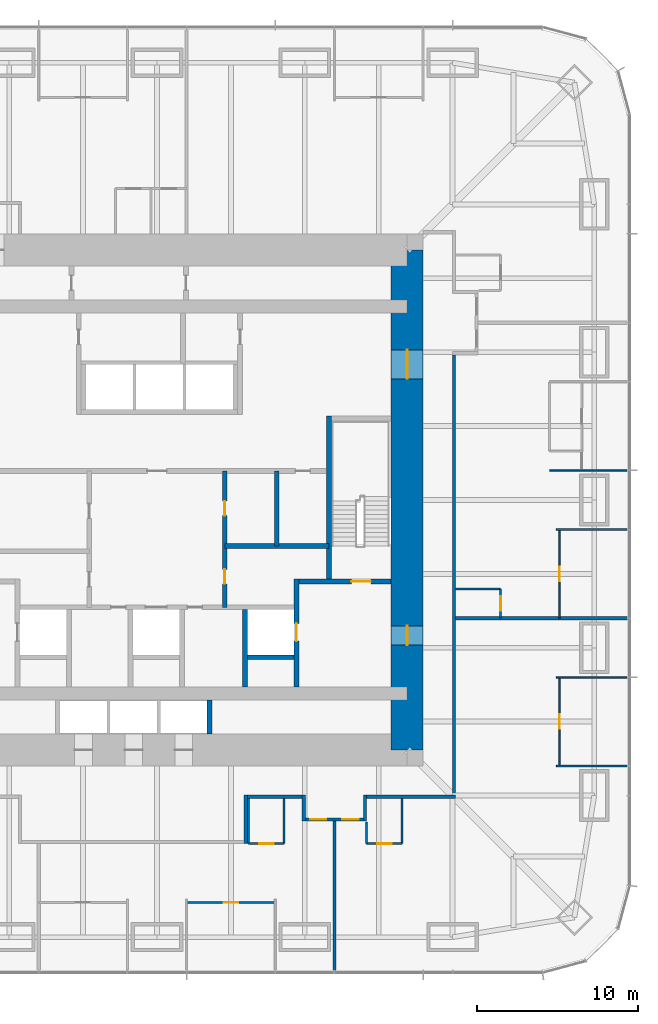
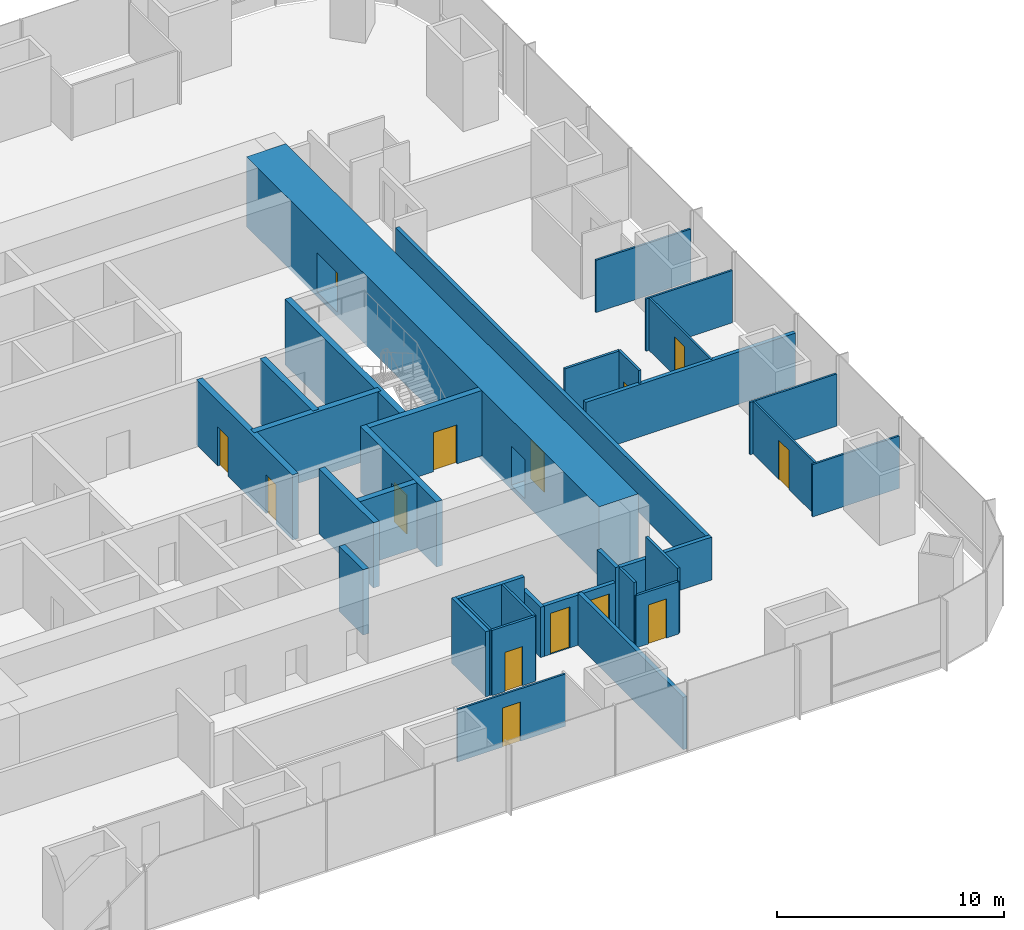
# One storey, part 10 of 13: 34 walls, 14 doors, 14 openings.
"""IFC4 building model written with IfcOpenShell, lengths in metres."""

import ifcopenshell
import ifcopenshell.guid

model = None  # the IFC model being written
_history = None  # IfcOwnerHistory: only IFC2X3 demands one
_inside = {}  # id of a spatial element -> (the spatial element, [elements in it])
_under = {}  # id of a project, library or spatial element -> (it, [spatial elements below it])
_declared = {}  # id of a project -> (the project, [libraries it declares])
_typed = {}  # id of a type object -> (the type object, [elements of that type])
_made_of = {}  # id of a material, layer set ... -> (it, [elements and type objects made of it])


def new_model(schema):
    """Start an empty IFC model of exactly this schema.

    Asked for "IFC4X3", IfcOpenShell would pick the latest addendum, in which some entities
    have other attributes; the version numbers below select the first issue.
    IFC2X3 requires an IfcOwnerHistory on every rooted entity: one is made here for all.
    """
    global model, _history
    if schema == "IFC4X3":
        model = ifcopenshell.file(schema_version=(4, 3, 0, 0))
    else:
        model = ifcopenshell.file(schema=schema)
    _inside.clear()
    _under.clear()
    _declared.clear()
    _typed.clear()
    _made_of.clear()
    _history = None
    if model.schema == "IFC2X3":
        org = make("IfcOrganization", Name="unknown")
        user = make(
            "IfcPersonAndOrganization",
            ThePerson=make("IfcPerson", FamilyName="unknown"),
            TheOrganization=org,
        )
        app = make(
            "IfcApplication",
            ApplicationDeveloper=org,
            Version="unknown",
            ApplicationFullName="unknown",
            ApplicationIdentifier="unknown",
        )
        _history = make(
            "IfcOwnerHistory",
            OwningUser=user,
            OwningApplication=app,
            ChangeAction="ADDED",
            CreationDate=0,
        )
    return model


def make(cls, **values):
    """One entity of the class cls with the attributes given. An attribute that is None is left unset."""
    return model.create_entity(
        cls, **{name: value for name, value in values.items() if value is not None}
    )


def rooted(cls, **values):
    """An entity with a GlobalId (a new one), such as an element, a storey or a relation."""
    return make(cls, GlobalId=ifcopenshell.guid.new(), OwnerHistory=_history, **values)


def si_unit(unit_type, name, prefix=None):
    """IfcSIUnit, for example si_unit("LENGTHUNIT", "METRE", prefix="MILLI")."""
    return make("IfcSIUnit", UnitType=unit_type, Prefix=prefix, Name=name)


def assignment(units):
    """IfcUnitAssignment: the units of a project."""
    return None if units is None else make("IfcUnitAssignment", Units=units)


def point(xyz):
    """IfcCartesianPoint."""
    return None if xyz is None else make("IfcCartesianPoint", Coordinates=xyz)


def direction(xyz):
    """IfcDirection."""
    return None if xyz is None else make("IfcDirection", DirectionRatios=xyz)


def frame(location, z_axis=None, x_axis=None):
    """IfcAxis2Placement3D, a coordinate frame: its origin and axes. An axis left out is left unset."""
    return make(
        "IfcAxis2Placement3D",
        Location=point(location),
        Axis=direction(z_axis),
        RefDirection=direction(x_axis),
    )


def frame_2d(location, x_axis=None):
    """IfcAxis2Placement2D, a coordinate frame in the plane: its origin and x axis."""
    return make(
        "IfcAxis2Placement2D", Location=point(location), RefDirection=direction(x_axis)
    )


def origin():
    """The frame at (0, 0, 0) with its axes left unset."""
    return frame((0.0, 0.0, 0.0))


def place(relative_to, where):
    """IfcLocalPlacement: puts the frame where relative to a parent placement (None: the world)."""
    return make(
        "IfcLocalPlacement", PlacementRelTo=relative_to, RelativePlacement=where
    )


def context(
    kind, dimensions, precision=None, world=None, true_north=None, identifier=None
):
    """IfcGeometricRepresentationContext, for example the 3D "Model" context."""
    return make(
        "IfcGeometricRepresentationContext",
        ContextIdentifier=identifier,
        ContextType=kind,
        CoordinateSpaceDimension=dimensions,
        Precision=precision,
        WorldCoordinateSystem=world,
        TrueNorth=true_north,
    )


def subcontext(parent, identifier, kind, view, scale=None):
    """IfcGeometricRepresentationSubContext, for example "Body" below "Model"."""
    return make(
        "IfcGeometricRepresentationSubContext",
        ContextIdentifier=identifier,
        ContextType=kind,
        ParentContext=parent,
        TargetScale=scale,
        TargetView=view,
    )


def project(units=None, contexts=None):
    """IfcProject with its units and contexts."""
    return rooted(
        "IfcProject",
        Name="project",
        RepresentationContexts=contexts,
        UnitsInContext=assignment(units),
    )


def spatial(cls, under=None, at=None, **own):
    """A site, building, storey or space (cls), placed at a placement, below another one or the project."""
    s = rooted(cls, ObjectPlacement=at, **own)
    if under is not None:
        _under.setdefault(under.id(), (under, []))[1].append(s)
    return s


def profile(cls, at=None, kind="AREA", **sizes):
    """A parametric profile (cls). Its sizes go by their IFC names, for example OverallWidth=200.0."""
    return make(cls, ProfileType=kind, Position=at, **sizes)


def rectangle(**sizes):
    """IfcRectangleProfileDef."""
    return profile("IfcRectangleProfileDef", **sizes)


def extrude(swept, where, along, depth):
    """IfcExtrudedAreaSolid: the profile swept, set in the frame where, extruded along a direction by depth."""
    return make(
        "IfcExtrudedAreaSolid",
        SweptArea=swept,
        Position=where,
        ExtrudedDirection=direction(along),
        Depth=depth,
    )


def shape(context_of_items, identifier, shape_type, items):
    """IfcShapeRepresentation: the items that make up one representation, for example the "Body"."""
    return make(
        "IfcShapeRepresentation",
        ContextOfItems=context_of_items,
        RepresentationIdentifier=identifier,
        RepresentationType=shape_type,
        Items=items,
    )


def material(Name=None, Category=None):
    """IfcMaterial."""
    return make("IfcMaterial", Name=Name, Category=Category)


def layer(
    of_material, thickness, ventilated=None, Name=None, Category=None, Priority=None
):
    """IfcMaterialLayer: one layer of a wall or slab, of a material (None: an air gap)."""
    return make(
        "IfcMaterialLayer",
        Material=of_material,
        LayerThickness=thickness,
        IsVentilated=ventilated,
        Name=Name,
        Category=Category,
        Priority=Priority,
    )


def layer_set(layers, Name=None):
    """IfcMaterialLayerSet."""
    return make("IfcMaterialLayerSet", MaterialLayers=layers, LayerSetName=Name)


def made_of(thing, what):
    """Note that an element or type object is made of a material, layer set ...; save() writes the relation."""
    if what is not None:
        _made_of.setdefault(what.id(), (what, []))[1].append(thing)
    return thing


def type_object(cls, material=None, **own):
    """A type object (cls), such as IfcWallType, which elements share."""
    return made_of(rooted(cls, **own), material)


def element(
    cls,
    number,
    at=None,
    inside=None,
    cuts=None,
    type_object=None,
    material=None,
    context=None,
    identifier="Body",
    shape_type=None,
    held_by="IfcProductDefinitionShape",
    body=None,
    shapes=None,
    **own,
):
    """One element of the class cls, such as IfcWall. Its Tag is "e" and its number.

    at: its placement. inside: the storey or other place that contains it. cuts: it is an
    opening in that element (IfcRelVoidsElement). A single representation is given by context,
    identifier, shape_type and body (its items); several are given by shapes. held_by: the class
    of the entity that holds the representations. save() writes the other relations.
    """
    e = rooted(cls, Tag="e%d" % number, ObjectPlacement=at, **own)
    if body is not None:
        shapes = [shape(context, identifier, shape_type, body)]
    if shapes is not None:
        e.Representation = make(held_by, Representations=shapes)
    if inside is not None:
        _inside.setdefault(inside.id(), (inside, []))[1].append(e)
    if cuts is not None:
        rooted(
            "IfcRelVoidsElement", RelatingBuildingElement=cuts, RelatedOpeningElement=e
        )
    if type_object is not None:
        _typed.setdefault(type_object.id(), (type_object, []))[1].append(e)
    return made_of(e, material)


def fill(opening, filler):
    """IfcRelFillsElement: the door or window that sits in an opening."""
    return rooted(
        "IfcRelFillsElement",
        RelatingOpeningElement=opening,
        RelatedBuildingElement=filler,
    )


def aggregate(whole, parts):
    """IfcRelAggregates: a whole, such as a stair, and the parts it consists of."""
    return rooted("IfcRelAggregates", RelatingObject=whole, RelatedObjects=parts)


def save(model, path):
    """Write the relations noted so far, then the file.

    IfcRelAggregates (storeys below a building ...), IfcRelContainedInSpatialStructure (elements
    in a storey), IfcRelDefinesByType, IfcRelAssociatesMaterial and IfcRelDeclares: one each for
    every whole, place, type object, material and project.
    """
    for whole, parts in _under.values():
        aggregate(whole, parts)
    for where, things in _inside.values():
        rooted(
            "IfcRelContainedInSpatialStructure",
            RelatedElements=things,
            RelatingStructure=where,
        )
    for kind, things in _typed.values():
        rooted("IfcRelDefinesByType", RelatedObjects=things, RelatingType=kind)
    for what, things in _made_of.values():
        rooted("IfcRelAssociatesMaterial", RelatedObjects=things, RelatingMaterial=what)
    for by, libraries in _declared.values():
        rooted("IfcRelDeclares", RelatingContext=by, RelatedDefinitions=libraries)
    model.write(path)


model = new_model("IFC4")

# Units and contexts
model_context = context("Model", 3, precision=1e-05, world=origin(), true_north=direction((0.0, 1.0)))
body_context = subcontext(model_context, "Body", "Model", "MODEL_VIEW")
ifc_project = project(units=[si_unit("LENGTHUNIT", "METRE"), si_unit("AREAUNIT", "SQUARE_METRE"), si_unit("VOLUMEUNIT", "CUBIC_METRE"), si_unit("PLANEANGLEUNIT", "RADIAN"), si_unit("MASSUNIT", "GRAM", prefix="KILO")], contexts=[model_context])

# Site, building, storey
site_placement = place(None, origin())
site = spatial("IfcSite", under=ifc_project, at=site_placement, CompositionType="ELEMENT")
building_placement = place(site_placement, origin())
building = spatial("IfcBuilding", under=site, at=building_placement, Name="Khuree Lantern Residences", CompositionType="ELEMENT")
storey_placement = place(building_placement, frame((0.0, 0.0, 111.0)))
storey = spatial("IfcBuildingStorey", under=building, at=storey_placement, Name="L27", CompositionType="ELEMENT", Elevation=111.0)

# Wall, opening, door
ifc_material_1 = material(Name="Moisture-resistant gypsum board on steel studs", Category="steel")
ifc_layer_1 = layer(ifc_material_1, 0.125)
ifc_layer_set_1 = layer_set([ifc_layer_1], Name="BATHROOM WALL BTW125")
wall_type_1 = type_object("IfcWallType", Name="BATHROOM WALL BTW125", PredefinedType="PARTITIONING", material=ifc_layer_set_1)
wall_1_placement = place(storey_placement, frame((21.300048828125, -7.327880859375, 0.0), z_axis=(0.0, 0.0, 1.0), x_axis=(0.0, 1.0, 0.0)))
wall_1 = element("IfcWall", 1, at=wall_1_placement, inside=storey, type_object=wall_type_1, Name="L27 BATHROOM WALL 01", PredefinedType="PARTITIONING", context=body_context, shape_type="SweptSolid", body=[
    extrude(rectangle(XDim=1.7998046875, YDim=0.125, at=frame_2d((0.89990234375, 0.0))), origin(), (0.0, 0.0, 1.0), 3.5),
])
opening_1_placement = place(wall_1_placement, frame((0.449951171875, 0.0, 0.0)))
opening_1 = element("IfcOpeningElement", 2, at=opening_1_placement, cuts=wall_1, Name="Opening 27-029", PredefinedType="OPENING", context=body_context, shape_type="SweptSolid", body=[
    extrude(rectangle(XDim=0.89990234375, YDim=2.10009765625, at=frame_2d((0.449951171875, 1.050048828125))), frame((0.0, 0.072509765625, 0.0), z_axis=(0.0, -1.0, 0.0), x_axis=(1.0, 0.0, 0.0)), (0.0, 0.0, 1.0), 0.14501953125),
])
ifc_material_2 = material(Name="Timber door leaf in hardwood frame", Category="wood")
door_type_1 = type_object("IfcDoorType", Name="BATHROOM DOOR 900X2100", OperationType="SINGLE_SWING_LEFT", PredefinedType="DOOR", material=ifc_material_2)
door_1_placement = place(opening_1_placement, origin())
door_1 = element("IfcDoor", 3, at=door_1_placement, inside=storey, type_object=door_type_1, Name="Bathroom door 27-029", OperationType="SINGLE_SWING_LEFT", OverallHeight=2.10009765625, OverallWidth=0.89990234375, PredefinedType="DOOR", context=body_context, shape_type="SweptSolid", body=[
    extrude(rectangle(XDim=0.89990234375, YDim=2.10009765625, at=frame_2d((0.449951171875, 1.050048828125))), frame((0.0, 0.02490234375, 0.0), z_axis=(0.0, -1.0, 0.0), x_axis=(1.0, 0.0, 0.0)), (0.0, 0.0, 1.0), 0.050048828125),
])
fill(opening_1, door_1)

# Wall
wall_2_placement = place(storey_placement, frame((18.5, -5.528076171875, 0.0), z_axis=(0.0, 0.0, 1.0), x_axis=(1.0, 0.0, 0.0)))
element("IfcWall", 4, at=wall_2_placement, inside=storey, type_object=wall_type_1, Name="L27 BATHROOM WALL 01", PredefinedType="PARTITIONING", context=body_context, shape_type="SweptSolid", body=[
    extrude(rectangle(XDim=2.800048828125, YDim=0.125, at=frame_2d((1.39990234375, 0.0))), origin(), (0.0, 0.0, 1.0), 3.5),
])

# Wall, opening, door
wall_3_placement = place(storey_placement, frame((5.68359375, -21.300048828125, 0.0), z_axis=(0.0, 0.0, 1.0), x_axis=(1.0, 0.0, 0.0)))
wall_3 = element("IfcWall", 5, at=wall_3_placement, inside=storey, type_object=wall_type_1, Name="L27 BATHROOM WALL 06", PredefinedType="PARTITIONING", context=body_context, shape_type="SweptSolid", body=[
    extrude(rectangle(XDim=2.199951171875, YDim=0.125, at=frame_2d((1.10009765625, 0.0))), origin(), (0.0, 0.0, 1.0), 3.5),
])
opening_2_placement = place(wall_3_placement, frame((0.64990234375, 0.0, 0.0)))
opening_2 = element("IfcOpeningElement", 6, at=opening_2_placement, cuts=wall_3, Name="Opening 27-050", PredefinedType="OPENING", context=body_context, shape_type="SweptSolid", body=[
    extrude(rectangle(XDim=0.89990234375, YDim=2.10009765625, at=frame_2d((0.449951171875, 1.050048828125))), frame((0.0, 0.072509765625, 0.0), z_axis=(0.0, -1.0, 0.0), x_axis=(1.0, 0.0, 0.0)), (0.0, 0.0, 1.0), 0.14501953125),
])
door_2_placement = place(opening_2_placement, origin())
door_2 = element("IfcDoor", 7, at=door_2_placement, inside=storey, type_object=door_type_1, Name="Bathroom door 27-050", OperationType="SINGLE_SWING_LEFT", OverallHeight=2.10009765625, OverallWidth=0.89990234375, PredefinedType="DOOR", context=body_context, shape_type="SweptSolid", body=[
    extrude(rectangle(XDim=0.89990234375, YDim=2.10009765625, at=frame_2d((0.449951171875, 1.050048828125))), frame((0.0, 0.02490234375, 0.0), z_axis=(0.0, -1.0, 0.0), x_axis=(1.0, 0.0, 0.0)), (0.0, 0.0, 1.0), 0.050048828125),
])
fill(opening_2, door_2)

# Walls
for number, where, z_axis, x_axis, name in (
    (8, (5.68359375, -18.5, 0.0), (0.0, 0.0, 1.0), (0.0, -1.0, 0.0), "L27 BATHROOM WALL 06"),
    (9, (7.883544921875, -18.5, 0.0), (0.0, 0.0, 1.0), (0.0, -1.0, 0.0), "L27 BATHROOM WALL 06"),
):
    element("IfcWall", number, at=place(storey_placement, frame(where, z_axis=z_axis, x_axis=x_axis)), inside=storey, type_object=wall_type_1, Name=name, PredefinedType="PARTITIONING", context=body_context, shape_type="SweptSolid", body=[
        extrude(rectangle(XDim=2.800048828125, YDim=0.125, at=frame_2d((1.39990234375, 0.0))), origin(), (0.0, 0.0, 1.0), 3.5),
    ])

# Wall, opening, door
wall_4_placement = place(storey_placement, frame((12.991943359375, -21.300048828125, 0.0), z_axis=(0.0, 0.0, 1.0), x_axis=(1.0, 0.0, 0.0)))
wall_4 = element("IfcWall", 10, at=wall_4_placement, inside=storey, type_object=wall_type_1, Name="L27 BATHROOM WALL 07", PredefinedType="PARTITIONING", context=body_context, shape_type="SweptSolid", body=[
    extrude(rectangle(XDim=2.199951171875, YDim=0.125, at=frame_2d((1.10009765625, 0.0))), origin(), (0.0, 0.0, 1.0), 2.81005859375),
])
opening_3_placement = place(wall_4_placement, frame((0.64990234375, 0.0, 0.0)))
opening_3 = element("IfcOpeningElement", 11, at=opening_3_placement, cuts=wall_4, Name="Opening 27-053", PredefinedType="OPENING", context=body_context, shape_type="SweptSolid", body=[
    extrude(rectangle(XDim=0.89990234375, YDim=2.10009765625, at=frame_2d((0.449951171875, 1.050048828125))), frame((0.0, 0.072509765625, 0.0), z_axis=(0.0, -1.0, 0.0), x_axis=(1.0, 0.0, 0.0)), (0.0, 0.0, 1.0), 0.14501953125),
])
door_3_placement = place(opening_3_placement, origin())
door_3 = element("IfcDoor", 12, at=door_3_placement, inside=storey, type_object=door_type_1, Name="Bathroom door 27-053", OperationType="SINGLE_SWING_LEFT", OverallHeight=2.10009765625, OverallWidth=0.89990234375, PredefinedType="DOOR", context=body_context, shape_type="SweptSolid", body=[
    extrude(rectangle(XDim=0.89990234375, YDim=2.10009765625, at=frame_2d((0.449951171875, 1.050048828125))), frame((0.0, 0.02490234375, 0.0), z_axis=(0.0, -1.0, 0.0), x_axis=(1.0, 0.0, 0.0)), (0.0, 0.0, 1.0), 0.050048828125),
])
fill(opening_3, door_3)

# Walls
wall_5_placement = place(storey_placement, frame((12.991943359375, -19.969970703125, 0.0), z_axis=(0.0, 0.0, 1.0), x_axis=(0.0, -1.0, 0.0)))
element("IfcWall", 13, at=wall_5_placement, inside=storey, type_object=wall_type_1, Name="L27 BATHROOM WALL 07", PredefinedType="PARTITIONING", context=body_context, shape_type="SweptSolid", body=[
    extrude(rectangle(XDim=1.330078125, YDim=0.125, at=frame_2d((0.6650390625, 0.0))), origin(), (0.0, 0.0, 1.0), 3.5),
])
wall_6_placement = place(storey_placement, frame((15.19189453125, -18.5, 0.0), z_axis=(0.0, 0.0, 1.0), x_axis=(0.0, -1.0, 0.0)))
element("IfcWall", 14, at=wall_6_placement, inside=storey, type_object=wall_type_1, Name="L27 BATHROOM WALL 07", PredefinedType="PARTITIONING", context=body_context, shape_type="SweptSolid", body=[
    extrude(rectangle(XDim=2.800048828125, YDim=0.125, at=frame_2d((1.39990234375, 0.0))), origin(), (0.0, 0.0, 1.0), 3.5),
])

# Wall, opening, door
ifc_material_3 = material(Name="Dense concrete blockwork", Category="masonry")
ifc_layer_2 = layer(ifc_material_3, 0.300048828125)
ifc_layer_set_2 = layer_set([ifc_layer_2], Name="CORE PARTITION WALL CPW300 EI 120")
wall_type_2 = type_object("IfcWallType", Name="CORE PARTITION WALL CPW300 EI 120", PredefinedType="PARTITIONING", material=ifc_layer_set_2)
wall_7_placement = place(storey_placement, frame((8.64990234375, -11.60009765625, 0.0), z_axis=(0.0, 0.0, 1.0), x_axis=(0.0, 1.0, 0.0)))
wall_7 = element("IfcWall", 15, at=wall_7_placement, inside=storey, type_object=wall_type_2, Name="L27 CORE WALL FL2E", PredefinedType="PARTITIONING", context=body_context, shape_type="SweptSolid", body=[
    extrude(rectangle(XDim=6.7001953125, YDim=0.300048828125, at=frame_2d((3.35009765625, 0.0))), origin(), (0.0, 0.0, 1.0), 3.5),
])
opening_4_placement = place(wall_7_placement, frame((2.85009765625, 0.0, 0.0)))
opening_4 = element("IfcOpeningElement", 16, at=opening_4_placement, cuts=wall_7, Name="Opening 27-008", PredefinedType="OPENING", context=body_context, shape_type="SweptSolid", body=[
    extrude(rectangle(XDim=1.10009765625, YDim=2.10009765625, at=frame_2d((0.550048828125, 1.050048828125))), frame((0.0, 0.16015625, 0.0), z_axis=(0.0, -1.0, 0.0), x_axis=(1.0, 0.0, 0.0)), (0.0, 0.0, 1.0), 0.320068359375),
])
ifc_material_4 = material(Name="Stainless steel lift landing door", Category="steel")
door_type_2 = type_object("IfcDoorType", Name="LIFT LANDING DOOR 1100X2100 E 120", OperationType="DOUBLE_DOOR_SLIDING", PredefinedType="DOOR", material=ifc_material_4)
door_4_placement = place(opening_4_placement, origin())
door_4 = element("IfcDoor", 17, at=door_4_placement, inside=storey, type_object=door_type_2, Name="Landing door FL2 27-008", OperationType="DOUBLE_DOOR_SLIDING", OverallHeight=2.10009765625, OverallWidth=1.10009765625, PredefinedType="DOOR", context=body_context, shape_type="SweptSolid", body=[
    extrude(rectangle(XDim=1.10009765625, YDim=2.10009765625, at=frame_2d((0.550048828125, 1.050048828125))), frame((0.0, 0.02490234375, 0.0), z_axis=(0.0, -1.0, 0.0), x_axis=(1.0, 0.0, 0.0)), (0.0, 0.0, 1.0), 0.050048828125),
])
fill(opening_4, door_4)

# Walls
wall_8_placement = place(storey_placement, frame((5.449951171875, -11.60009765625, 0.0), z_axis=(0.0, 0.0, 1.0), x_axis=(0.0, 1.0, 0.0)))
element("IfcWall", 18, at=wall_8_placement, inside=storey, type_object=wall_type_2, Name="L27 CORE WALL FL2W", PredefinedType="PARTITIONING", context=body_context, shape_type="SweptSolid", body=[
    extrude(rectangle(XDim=4.800048828125, YDim=0.300048828125, at=frame_2d((2.39990234375, 0.0))), origin(), (0.0, 0.0, 1.0), 3.5),
])
wall_9_placement = place(storey_placement, frame((5.60009765625, -9.75, 0.0), z_axis=(0.0, 0.0, 1.0), x_axis=(1.0, 0.0, 0.0)))
element("IfcWall", 19, at=wall_9_placement, inside=storey, type_object=wall_type_2, Name="L27 CORE WALL FL2S", PredefinedType="PARTITIONING", context=body_context, shape_type="SweptSolid", body=[
    extrude(rectangle(XDim=2.89990234375, YDim=0.300048828125, at=frame_2d((1.449951171875, 0.0))), origin(), (0.0, 0.0, 1.0), 3.5),
])
wall_10_placement = place(storey_placement, frame((3.25, -14.5, 0.0), z_axis=(0.0, 0.0, 1.0), x_axis=(0.0, 1.0, 0.0)))
element("IfcWall", 20, at=wall_10_placement, inside=storey, type_object=wall_type_2, Name="L27 CORE WALL PME", PredefinedType="PARTITIONING", context=body_context, shape_type="SweptSolid", body=[
    extrude(rectangle(XDim=2.10009765625, YDim=0.300048828125, at=frame_2d((1.050048828125, 0.0))), origin(), (0.0, 0.0, 1.0), 3.5),
])

# Wall, openings, doors
wall_11_placement = place(storey_placement, frame((4.199951171875, -6.64990234375, 0.0), z_axis=(0.0, 0.0, 1.0), x_axis=(0.0, 1.0, 0.0)))
wall_11 = element("IfcWall", 21, at=wall_11_placement, inside=storey, type_object=wall_type_2, Name="L27 CORE WALL SVE", PredefinedType="PARTITIONING", context=body_context, shape_type="SweptSolid", body=[
    extrude(rectangle(XDim=8.449951171875, YDim=0.300048828125, at=frame_2d((4.22509765625, 0.0))), origin(), (0.0, 0.0, 1.0), 3.5),
])
opening_5_placement = place(wall_11_placement, frame((1.450927734375, 0.0, 0.0)))
opening_5 = element("IfcOpeningElement", 22, at=opening_5_placement, cuts=wall_11, Name="Opening 27-018", PredefinedType="OPENING", context=body_context, shape_type="SweptSolid", body=[
    extrude(rectangle(XDim=0.89990234375, YDim=2.10009765625, at=frame_2d((0.449951171875, 1.050048828125))), frame((0.0, 0.16015625, 0.0), z_axis=(0.0, -1.0, 0.0), x_axis=(1.0, 0.0, 0.0)), (0.0, 0.0, 1.0), 0.320068359375),
])
opening_6_placement = place(wall_11_placement, frame((5.676025390625, 0.0, 0.0)))
opening_6 = element("IfcOpeningElement", 23, at=opening_6_placement, cuts=wall_11, Name="Opening 27-019", PredefinedType="OPENING", context=body_context, shape_type="SweptSolid", body=[
    extrude(rectangle(XDim=0.89990234375, YDim=2.10009765625, at=frame_2d((0.449951171875, 1.050048828125))), frame((0.0, 0.16015625, 0.0), z_axis=(0.0, -1.0, 0.0), x_axis=(1.0, 0.0, 0.0)), (0.0, 0.0, 1.0), 0.320068359375),
])
door_type_3 = type_object("IfcDoorType", Name="DOOR 900X2100", OperationType="SINGLE_SWING_LEFT", PredefinedType="DOOR", material=ifc_material_2)
door_5_placement = place(opening_5_placement, origin())
door_5 = element("IfcDoor", 24, at=door_5_placement, inside=storey, type_object=door_type_3, Name="Bulky waste store door 27-018", OperationType="SINGLE_SWING_LEFT", OverallHeight=2.10009765625, OverallWidth=0.89990234375, PredefinedType="DOOR", context=body_context, shape_type="SweptSolid", body=[
    extrude(rectangle(XDim=0.89990234375, YDim=2.10009765625, at=frame_2d((0.449951171875, 1.050048828125))), frame((0.0, 0.02490234375, 0.0), z_axis=(0.0, -1.0, 0.0), x_axis=(1.0, 0.0, 0.0)), (0.0, 0.0, 1.0), 0.050048828125),
])
fill(opening_5, door_5)
door_type_4 = type_object("IfcDoorType", Name="DOOR 900X2100 RIGHT HAND", OperationType="SINGLE_SWING_RIGHT", PredefinedType="DOOR", material=ifc_material_2)
door_6_placement = place(opening_6_placement, origin())
door_6 = element("IfcDoor", 25, at=door_6_placement, inside=storey, type_object=door_type_4, Name="Housekeeping store door 27-019", OperationType="SINGLE_SWING_RIGHT", OverallHeight=2.10009765625, OverallWidth=0.89990234375, PredefinedType="DOOR", context=body_context, shape_type="SweptSolid", body=[
    extrude(rectangle(XDim=0.89990234375, YDim=2.10009765625, at=frame_2d((0.449951171875, 1.050048828125))), frame((0.0, 0.02490234375, 0.0), z_axis=(0.0, -1.0, 0.0), x_axis=(1.0, 0.0, 0.0)), (0.0, 0.0, 1.0), 0.050048828125),
])
fill(opening_6, door_6)

# Walls
wall_12_placement = place(storey_placement, frame((10.64990234375, -2.847900390625, 0.0), z_axis=(0.0, 0.0, 1.0), x_axis=(-1.0, 0.0, 0.0)))
element("IfcWall", 26, at=wall_12_placement, inside=storey, type_object=wall_type_2, Name="L27 CORE WALL EX", PredefinedType="PARTITIONING", context=body_context, shape_type="SweptSolid", body=[
    extrude(rectangle(XDim=6.449951171875, YDim=0.300048828125, at=frame_2d((3.22509765625, 0.0))), origin(), (0.0, 0.0, 1.0), 3.5),
])
wall_13_placement = place(storey_placement, frame((7.425048828125, -2.847900390625, 0.0), z_axis=(0.0, 0.0, 1.0), x_axis=(0.0, 1.0, 0.0)))
element("IfcWall", 27, at=wall_13_placement, inside=storey, type_object=wall_type_2, Name="L27 CORE WALL EV", PredefinedType="PARTITIONING", context=body_context, shape_type="SweptSolid", body=[
    extrude(rectangle(XDim=4.64794921875, YDim=0.300048828125, at=frame_2d((2.323974609375, 0.0))), origin(), (0.0, 0.0, 1.0), 3.5),
])
ifc_material_5 = material(Name="Gypsum board on steel studs", Category="steel")
ifc_layer_3 = layer(ifc_material_5, 0.199951171875)
ifc_layer_set_3 = layer_set([ifc_layer_3], Name="CORRIDOR WALL CRW200 EI 60")
wall_type_3 = type_object("IfcWallType", Name="CORRIDOR WALL CRW200 EI 60", PredefinedType="PARTITIONING", material=ifc_layer_set_3)
wall_14_placement = place(storey_placement, frame((18.39990234375, -18.300048828125, 0.0), z_axis=(0.0, 0.0, 1.0), x_axis=(0.0, 1.0, 0.0)))
element("IfcWall", 28, at=wall_14_placement, inside=storey, type_object=wall_type_3, Name="L27 CORRIDOR WALL EAST 1", PredefinedType="PARTITIONING", context=body_context, shape_type="SweptSolid", body=[
    extrude(rectangle(XDim=27.2919921875, YDim=0.199951171875, at=frame_2d((13.64599609375, 0.0))), origin(), (0.0, 0.0, 1.0), 2.300048828125),
])
wall_15_placement = place(storey_placement, frame((18.5, -18.39990234375, 0.0), z_axis=(0.0, 0.0, 1.0), x_axis=(-1.0, 0.0, 0.0)))
element("IfcWall", 29, at=wall_15_placement, inside=storey, type_object=wall_type_3, Name="L27 CORRIDOR WALL SOUTH 1", PredefinedType="PARTITIONING", context=body_context, shape_type="SweptSolid", body=[
    extrude(rectangle(XDim=5.508056640625, YDim=0.199951171875, at=frame_2d((2.75390625, 0.0))), origin(), (0.0, 0.0, 1.0), 2.300048828125),
])
wall_16_placement = place(storey_placement, frame((12.89208984375, -18.300048828125, 0.0), z_axis=(0.0, 0.0, 1.0), x_axis=(0.0, -1.0, 0.0)))
element("IfcWall", 30, at=wall_16_placement, inside=storey, type_object=wall_type_3, Name="L27 CORRIDOR ALCOVE WALL SOUTH", PredefinedType="PARTITIONING", context=body_context, shape_type="SweptSolid", body=[
    extrude(rectangle(XDim=1.599853515625, YDim=0.199951171875, at=frame_2d((0.7998046875, 0.0))), origin(), (0.0, 0.0, 1.0), 3.5),
])
wall_17_placement = place(storey_placement, frame((9.092041015625, -18.300048828125, 0.0), z_axis=(0.0, 0.0, 1.0), x_axis=(0.0, -1.0, 0.0)))
element("IfcWall", 31, at=wall_17_placement, inside=storey, type_object=wall_type_3, Name="L27 CORRIDOR ALCOVE WALL SOUTH", PredefinedType="PARTITIONING", context=body_context, shape_type="SweptSolid", body=[
    extrude(rectangle(XDim=1.599853515625, YDim=0.199951171875, at=frame_2d((0.7998046875, 0.0))), origin(), (0.0, 0.0, 1.0), 2.699951171875),
])

# Wall, openings, doors
wall_18_placement = place(storey_placement, frame((12.7919921875, -19.800048828125, 0.0), z_axis=(0.0, 0.0, 1.0), x_axis=(-1.0, 0.0, 0.0)))
wall_18 = element("IfcWall", 32, at=wall_18_placement, inside=storey, type_object=wall_type_3, Name="L27 CORRIDOR ALCOVE WALL SOUTH", PredefinedType="PARTITIONING", context=body_context, shape_type="SweptSolid", body=[
    extrude(rectangle(XDim=3.60009765625, YDim=0.199951171875, at=frame_2d((1.800048828125, 0.0))), origin(), (0.0, 0.0, 1.0), 2.699951171875),
])
opening_7_placement = place(wall_18_placement, frame((2.300048828125, 0.0, 0.0)))
opening_7 = element("IfcOpeningElement", 33, at=opening_7_placement, cuts=wall_18, Name="Opening 27-051", PredefinedType="OPENING", context=body_context, shape_type="SweptSolid", body=[
    extrude(rectangle(XDim=1.0, YDim=2.199951171875, at=frame_2d((0.5, 1.10009765625))), frame((0.0, 0.10986328125, 0.0), z_axis=(0.0, -1.0, 0.0), x_axis=(1.0, 0.0, 0.0)), (0.0, 0.0, 1.0), 0.219970703125),
])
opening_8_placement = place(wall_18_placement, frame((0.300048828125, 0.0, 0.0)))
opening_8 = element("IfcOpeningElement", 34, at=opening_8_placement, cuts=wall_18, Name="Opening 27-054", PredefinedType="OPENING", context=body_context, shape_type="SweptSolid", body=[
    extrude(rectangle(XDim=1.0, YDim=2.199951171875, at=frame_2d((0.5, 1.10009765625))), frame((0.0, 0.10986328125, 0.0), z_axis=(0.0, -1.0, 0.0), x_axis=(1.0, 0.0, 0.0)), (0.0, 0.0, 1.0), 0.219970703125),
])
door_type_5 = type_object("IfcDoorType", Name="APARTMENT ENTRANCE DOOR 1000X2200 EI 30S", OperationType="SINGLE_SWING_LEFT", PredefinedType="DOOR", material=ifc_material_2)
door_7_placement = place(opening_7_placement, origin())
door_7 = element("IfcDoor", 35, at=door_7_placement, inside=storey, type_object=door_type_5, Name="Apartment 06 entrance door 27-051", OperationType="SINGLE_SWING_LEFT", OverallHeight=2.199951171875, OverallWidth=1.0, PredefinedType="DOOR", context=body_context, shape_type="SweptSolid", body=[
    extrude(rectangle(XDim=1.0, YDim=2.199951171875, at=frame_2d((0.5, 1.10009765625))), frame((0.0, 0.02490234375, 0.0), z_axis=(0.0, -1.0, 0.0), x_axis=(1.0, 0.0, 0.0)), (0.0, 0.0, 1.0), 0.050048828125),
])
fill(opening_7, door_7)
door_8_placement = place(opening_8_placement, origin())
door_8 = element("IfcDoor", 36, at=door_8_placement, inside=storey, type_object=door_type_5, Name="Apartment 07 entrance door 27-054", OperationType="SINGLE_SWING_LEFT", OverallHeight=2.199951171875, OverallWidth=1.0, PredefinedType="DOOR", context=body_context, shape_type="SweptSolid", body=[
    extrude(rectangle(XDim=1.0, YDim=2.199951171875, at=frame_2d((0.5, 1.10009765625))), frame((0.0, 0.02490234375, 0.0), z_axis=(0.0, -1.0, 0.0), x_axis=(1.0, 0.0, 0.0)), (0.0, 0.0, 1.0), 0.050048828125),
])
fill(opening_8, door_8)

# Walls
wall_19_placement = place(storey_placement, frame((8.991943359375, -18.39990234375, 0.0), z_axis=(0.0, 0.0, 1.0), x_axis=(-1.0, 0.0, 0.0)))
element("IfcWall", 37, at=wall_19_placement, inside=storey, type_object=wall_type_3, Name="L27 CORRIDOR WALL SOUTH 2", PredefinedType="PARTITIONING", context=body_context, shape_type="SweptSolid", body=[
    extrude(rectangle(XDim=3.391845703125, YDim=0.199951171875, at=frame_2d((1.69580078125, 0.0))), origin(), (0.0, 0.0, 1.0), 3.5),
])
wall_20_placement = place(storey_placement, frame((5.5, -18.300048828125, 0.0), z_axis=(0.0, 0.0, 1.0), x_axis=(0.0, -1.0, 0.0)))
element("IfcWall", 38, at=wall_20_placement, inside=storey, type_object=wall_type_3, Name="L27 LIFT LOBBY WALL", PredefinedType="PARTITIONING", context=body_context, shape_type="SweptSolid", body=[
    extrude(rectangle(XDim=3.0, YDim=0.199951171875, at=frame_2d((1.5, 0.0))), origin(), (0.0, 0.0, 1.0), 3.5),
])

# Wall, openings, doors
ifc_material_6 = material(Name="Concrete C70/85", Category="concrete")
ifc_layer_4 = layer(ifc_material_6, 2.0)
ifc_layer_set_4 = layer_set([ifc_layer_4], Name="CW2000-C70 CORE WALL C70 2000")
wall_type_4 = type_object("IfcWallType", Name="CW2000-C70 CORE WALL C70 2000", PredefinedType="SHEAR", material=ifc_layer_set_4)
wall_21_placement = place(storey_placement, frame((15.5, -15.5, -0.25), z_axis=(0.0, 0.0, 1.0), x_axis=(0.0, 1.0, 0.0)))
wall_21 = element("IfcWall", 39, at=wall_21_placement, inside=storey, type_object=wall_type_4, Name="Core wall E", PredefinedType="SHEAR", context=body_context, shape_type="SweptSolid", body=[
    extrude(rectangle(XDim=31.0, YDim=2.0, at=frame_2d((15.5, 0.0))), origin(), (0.0, 0.0, 1.0), 3.75),
])
opening_9_placement = place(wall_21_placement, frame((6.5, 0.0, 0.25)))
opening_9 = element("IfcOpeningElement", 40, at=opening_9_placement, cuts=wall_21, Name="Opening 27-005", PredefinedType="OPENING", context=body_context, shape_type="SweptSolid", body=[
    extrude(rectangle(XDim=1.199951171875, YDim=2.10009765625, at=frame_2d((0.60009765625, 1.050048828125))), frame((0.0, 1.010009765625, 0.0), z_axis=(0.0, -1.0, 0.0), x_axis=(1.0, 0.0, 0.0)), (0.0, 0.0, 1.0), 2.02001953125),
])
opening_10_placement = place(wall_21_placement, frame((23.0, 0.0, 0.25)))
opening_10 = element("IfcOpeningElement", 41, at=opening_10_placement, cuts=wall_21, Name="Opening 27-006", PredefinedType="OPENING", context=body_context, shape_type="SweptSolid", body=[
    extrude(rectangle(XDim=1.800048828125, YDim=2.10009765625, at=frame_2d((0.89990234375, 1.050048828125))), frame((0.0, 1.010009765625, 0.0), z_axis=(0.0, -1.0, 0.0), x_axis=(1.0, 0.0, 0.0)), (0.0, 0.0, 1.0), 2.02001953125),
])
ifc_material_7 = material(Name="Steel door leaf in steel frame", Category="steel")
door_type_6 = type_object("IfcDoorType", Name="LOBBY DOOR 1200X2100 EI 120", OperationType="SINGLE_SWING_LEFT", PredefinedType="DOOR", material=ifc_material_7)
door_9_placement = place(opening_9_placement, origin())
door_9 = element("IfcDoor", 42, at=door_9_placement, inside=storey, type_object=door_type_6, Name="Firefighting lobby door 27-005", OperationType="SINGLE_SWING_LEFT", OverallHeight=2.10009765625, OverallWidth=1.199951171875, PredefinedType="DOOR", context=body_context, shape_type="SweptSolid", body=[
    extrude(rectangle(XDim=1.199951171875, YDim=2.10009765625, at=frame_2d((0.60009765625, 1.050048828125))), frame((0.0, 0.02490234375, 0.0), z_axis=(0.0, -1.0, 0.0), x_axis=(1.0, 0.0, 0.0)), (0.0, 0.0, 1.0), 0.050048828125),
])
fill(opening_9, door_9)
door_type_7 = type_object("IfcDoorType", Name="LOBBY DOUBLE DOOR 1800X2100 EI 60", OperationType="DOUBLE_DOOR_SINGLE_SWING", PredefinedType="DOOR", material=ifc_material_7)
door_10_placement = place(opening_10_placement, origin())
door_10 = element("IfcDoor", 43, at=door_10_placement, inside=storey, type_object=door_type_7, Name="Lift lobby door 27-006", OperationType="DOUBLE_DOOR_SINGLE_SWING", OverallHeight=2.10009765625, OverallWidth=1.800048828125, PredefinedType="DOOR", context=body_context, shape_type="SweptSolid", body=[
    extrude(rectangle(XDim=1.800048828125, YDim=2.10009765625, at=frame_2d((0.89990234375, 1.050048828125))), frame((0.0, 0.02490234375, 0.0), z_axis=(0.0, -1.0, 0.0), x_axis=(1.0, 0.0, 0.0)), (0.0, 0.0, 1.0), 0.050048828125),
])
fill(opening_10, door_10)

# Walls
ifc_layer_5 = layer(ifc_material_5, 0.199951171875)
ifc_layer_set_5 = layer_set([ifc_layer_5], Name="DEMISING WALL DMW200 EI 90")
wall_type_5 = type_object("IfcWallType", Name="DEMISING WALL DMW200 EI 90", PredefinedType="PARTITIONING", material=ifc_layer_set_5)
wall_22_placement = place(storey_placement, frame((18.5, -7.327880859375, 0.0), z_axis=(0.0, 0.0, 1.0), x_axis=(1.0, 0.0, 0.0)))
element("IfcWall", 44, at=wall_22_placement, inside=storey, type_object=wall_type_5, Name="L27 DEMISING WALL 01", PredefinedType="PARTITIONING", context=body_context, shape_type="SweptSolid", body=[
    extrude(rectangle(XDim=10.64990234375, YDim=0.199951171875, at=frame_2d((5.324951171875, 0.0))), origin(), (0.0, 0.0, 1.0), 2.81005859375),
])
wall_23_placement = place(storey_placement, frame((10.991943359375, -19.89990234375, 0.0), z_axis=(0.0, 0.0, 1.0), x_axis=(0.0, -1.0, 0.0)))
element("IfcWall", 45, at=wall_23_placement, inside=storey, type_object=wall_type_5, Name="L27 DEMISING WALL 07", PredefinedType="PARTITIONING", context=body_context, shape_type="SweptSolid", body=[
    extrude(rectangle(XDim=9.25, YDim=0.199951171875, at=frame_2d((4.625, 0.0))), origin(), (0.0, 0.0, 1.0), 2.81005859375),
])
ifc_layer_6 = layer(ifc_material_5, 0.10009765625)
ifc_layer_set_6 = layer_set([ifc_layer_6], Name="PARTITION PT100")
wall_type_6 = type_object("IfcWallType", Name="PARTITION PT100", PredefinedType="PARTITIONING", material=ifc_layer_set_6)
wall_24_placement = place(storey_placement, frame((24.75, -1.83203125, 0.0), z_axis=(0.0, 0.0, 1.0), x_axis=(1.0, 0.0, 0.0)))
element("IfcWall", 46, at=wall_24_placement, inside=storey, type_object=wall_type_6, Name="L27 PARTITION 01", PredefinedType="PARTITIONING", context=body_context, shape_type="SweptSolid", body=[
    extrude(rectangle(XDim=4.39990234375, YDim=0.10009765625, at=frame_2d((2.199951171875, 0.0))), origin(), (0.0, 0.0, 1.0), 2.81005859375),
])
wall_25_placement = place(storey_placement, frame((24.329833984375, 1.83203125, 0.0), z_axis=(0.0, 0.0, 1.0), x_axis=(1.0, 0.0, 0.0)))
element("IfcWall", 47, at=wall_25_placement, inside=storey, type_object=wall_type_6, Name="L27 PARTITION 01", PredefinedType="PARTITIONING", context=body_context, shape_type="SweptSolid", body=[
    extrude(rectangle(XDim=4.820068359375, YDim=0.10009765625, at=frame_2d((2.41015625, 0.0))), origin(), (0.0, 0.0, 1.0), 2.81005859375),
])
for number, where, z_axis, x_axis, name in (
    (48, (24.75, -16.488037109375, 0.0), (0.0, 0.0, 1.0), (1.0, 0.0, 0.0), "L27 PARTITION 07"),
    (49, (24.75, -10.991943359375, 0.0), (0.0, 0.0, 1.0), (1.0, 0.0, 0.0), "L27 PARTITION 07"),
):
    element("IfcWall", number, at=place(storey_placement, frame(where, z_axis=z_axis, x_axis=x_axis)), inside=storey, type_object=wall_type_6, Name=name, PredefinedType="PARTITIONING", context=body_context, shape_type="SweptSolid", body=[
        extrude(rectangle(XDim=4.39990234375, YDim=0.10009765625, at=frame_2d((2.199951171875, 0.0))), origin(), (0.0, 0.0, 1.0), 2.81005859375),
    ])

# Wall, opening, door
wall_26_placement = place(storey_placement, frame((24.949951171875, -7.327880859375, 0.0), z_axis=(0.0, 0.0, 1.0), x_axis=(0.0, 1.0, 0.0)))
wall_26 = element("IfcWall", 50, at=wall_26_placement, inside=storey, type_object=wall_type_6, Name="L27 PARTITION 01", PredefinedType="PARTITIONING", context=body_context, shape_type="SweptSolid", body=[
    extrude(rectangle(XDim=5.495849609375, YDim=0.10009765625, at=frame_2d((2.748046875, 0.0))), origin(), (0.0, 0.0, 1.0), 2.81005859375),
])
opening_11_placement = place(wall_26_placement, frame((2.298095703125, 0.0, 0.0)))
opening_11 = element("IfcOpeningElement", 51, at=opening_11_placement, cuts=wall_26, Name="Opening 27-026", PredefinedType="OPENING", context=body_context, shape_type="SweptSolid", body=[
    extrude(rectangle(XDim=0.89990234375, YDim=2.10009765625, at=frame_2d((0.449951171875, 1.050048828125))), frame((0.0, 0.06005859375, 0.0), z_axis=(0.0, -1.0, 0.0), x_axis=(1.0, 0.0, 0.0)), (0.0, 0.0, 1.0), 0.1201171875),
])
door_type_8 = type_object("IfcDoorType", Name="BEDROOM DOOR 900X2100", OperationType="SINGLE_SWING_LEFT", PredefinedType="DOOR", material=ifc_material_2)
door_11_placement = place(opening_11_placement, origin())
door_11 = element("IfcDoor", 52, at=door_11_placement, inside=storey, type_object=door_type_8, Name="Bedroom door 27-026", OperationType="SINGLE_SWING_LEFT", OverallHeight=2.10009765625, OverallWidth=0.89990234375, PredefinedType="DOOR", context=body_context, shape_type="SweptSolid", body=[
    extrude(rectangle(XDim=0.89990234375, YDim=2.10009765625, at=frame_2d((0.449951171875, 1.050048828125))), frame((0.0, 0.02490234375, 0.0), z_axis=(0.0, -1.0, 0.0), x_axis=(1.0, 0.0, 0.0)), (0.0, 0.0, 1.0), 0.050048828125),
])
fill(opening_11, door_11)

wall_27_placement = place(storey_placement, frame((1.83203125, -24.949951171875, 0.0), z_axis=(0.0, 0.0, 1.0), x_axis=(1.0, 0.0, 0.0)))
wall_27 = element("IfcWall", 53, at=wall_27_placement, inside=storey, type_object=wall_type_6, Name="L27 PARTITION 06", PredefinedType="PARTITIONING", context=body_context, shape_type="SweptSolid", body=[
    extrude(rectangle(XDim=5.495849609375, YDim=0.10009765625, at=frame_2d((2.748046875, 0.0))), origin(), (0.0, 0.0, 1.0), 2.81005859375),
])
opening_12_placement = place(wall_27_placement, frame((2.298095703125, 0.0, 0.0)))
opening_12 = element("IfcOpeningElement", 54, at=opening_12_placement, cuts=wall_27, Name="Opening 27-049", PredefinedType="OPENING", context=body_context, shape_type="SweptSolid", body=[
    extrude(rectangle(XDim=0.89990234375, YDim=2.10009765625, at=frame_2d((0.449951171875, 1.050048828125))), frame((0.0, 0.06005859375, 0.0), z_axis=(0.0, -1.0, 0.0), x_axis=(1.0, 0.0, 0.0)), (0.0, 0.0, 1.0), 0.1201171875),
])
door_12_placement = place(opening_12_placement, origin())
door_12 = element("IfcDoor", 55, at=door_12_placement, inside=storey, type_object=door_type_8, Name="Bedroom door 27-049", OperationType="SINGLE_SWING_LEFT", OverallHeight=2.10009765625, OverallWidth=0.89990234375, PredefinedType="DOOR", context=body_context, shape_type="SweptSolid", body=[
    extrude(rectangle(XDim=0.89990234375, YDim=2.10009765625, at=frame_2d((0.449951171875, 1.050048828125))), frame((0.0, 0.02490234375, 0.0), z_axis=(0.0, -1.0, 0.0), x_axis=(1.0, 0.0, 0.0)), (0.0, 0.0, 1.0), 0.050048828125),
])
fill(opening_12, door_12)

wall_28_placement = place(storey_placement, frame((24.949951171875, -16.488037109375, 0.0), z_axis=(0.0, 0.0, 1.0), x_axis=(0.0, 1.0, 0.0)))
wall_28 = element("IfcWall", 56, at=wall_28_placement, inside=storey, type_object=wall_type_6, Name="L27 PARTITION 07", PredefinedType="PARTITIONING", context=body_context, shape_type="SweptSolid", body=[
    extrude(rectangle(XDim=5.49609375, YDim=0.10009765625, at=frame_2d((2.748046875, 0.0))), origin(), (0.0, 0.0, 1.0), 2.81005859375),
])
opening_13_placement = place(wall_28_placement, frame((2.298095703125, 0.0, 0.0)))
opening_13 = element("IfcOpeningElement", 57, at=opening_13_placement, cuts=wall_28, Name="Opening 27-052", PredefinedType="OPENING", context=body_context, shape_type="SweptSolid", body=[
    extrude(rectangle(XDim=0.89990234375, YDim=2.10009765625, at=frame_2d((0.449951171875, 1.050048828125))), frame((0.0, 0.06005859375, 0.0), z_axis=(0.0, -1.0, 0.0), x_axis=(1.0, 0.0, 0.0)), (0.0, 0.0, 1.0), 0.1201171875),
])
door_13_placement = place(opening_13_placement, origin())
door_13 = element("IfcDoor", 58, at=door_13_placement, inside=storey, type_object=door_type_8, Name="Bedroom door 27-052", OperationType="SINGLE_SWING_LEFT", OverallHeight=2.10009765625, OverallWidth=0.89990234375, PredefinedType="DOOR", context=body_context, shape_type="SweptSolid", body=[
    extrude(rectangle(XDim=0.89990234375, YDim=2.10009765625, at=frame_2d((0.449951171875, 1.050048828125))), frame((0.0, 0.02490234375, 0.0), z_axis=(0.0, -1.0, 0.0), x_axis=(1.0, 0.0, 0.0)), (0.0, 0.0, 1.0), 0.050048828125),
])
fill(opening_13, door_13)

# Wall
ifc_material_8 = material(Name="Concrete C50/60", Category="concrete")
ifc_layer_7 = layer(ifc_material_8, 0.300048828125)
ifc_layer_set_7 = layer_set([ifc_layer_7], Name="STAIR WALL SRW300 C50/60 REI 240")
wall_type_7 = type_object("IfcWallType", Name="STAIR WALL SRW300 C50/60 REI 240", PredefinedType="SOLIDWALL", material=ifc_layer_set_7)
wall_29_placement = place(storey_placement, frame((10.64990234375, -4.89990234375, 0.0), z_axis=(0.0, 0.0, 1.0), x_axis=(0.0, 1.0, 0.0)))
element("IfcWall", 59, at=wall_29_placement, inside=storey, type_object=wall_type_7, Name="L27 STAIR WALL ST2E", PredefinedType="SOLIDWALL", context=body_context, shape_type="SweptSolid", body=[
    extrude(rectangle(XDim=10.099853515625, YDim=0.300048828125, at=frame_2d((5.0498046875, 0.0))), origin(), (0.0, 0.0, 1.0), 3.5),
])

# Wall, opening, door
wall_30_placement = place(storey_placement, frame((14.5, -5.050048828125, 0.0), z_axis=(0.0, 0.0, 1.0), x_axis=(-1.0, 0.0, 0.0)))
wall_30 = element("IfcWall", 60, at=wall_30_placement, inside=storey, type_object=wall_type_7, Name="L27 STAIR WALL ST2S", PredefinedType="SOLIDWALL", context=body_context, shape_type="SweptSolid", body=[
    extrude(rectangle(XDim=5.699951171875, YDim=0.300048828125, at=frame_2d((2.85009765625, 0.0))), origin(), (0.0, 0.0, 1.0), 3.5),
])
opening_14_placement = place(wall_30_placement, frame((1.25, 0.0, 0.0)))
opening_14 = element("IfcOpeningElement", 61, at=opening_14_placement, cuts=wall_30, Name="Opening 27-004", PredefinedType="OPENING", context=body_context, shape_type="SweptSolid", body=[
    extrude(rectangle(XDim=1.199951171875, YDim=2.10009765625, at=frame_2d((0.60009765625, 1.050048828125))), frame((0.0, 0.16015625, 0.0), z_axis=(0.0, -1.0, 0.0), x_axis=(1.0, 0.0, 0.0)), (0.0, 0.0, 1.0), 0.320068359375),
])
door_type_9 = type_object("IfcDoorType", Name="STAIR DOOR 1200X2100 EI 120", OperationType="SINGLE_SWING_LEFT", PredefinedType="DOOR", material=ifc_material_7)
door_14_placement = place(opening_14_placement, origin())
door_14 = element("IfcDoor", 62, at=door_14_placement, inside=storey, type_object=door_type_9, Name="Stair ST2 door 27-004", OperationType="SINGLE_SWING_LEFT", OverallHeight=2.10009765625, OverallWidth=1.199951171875, PredefinedType="DOOR", context=body_context, shape_type="SweptSolid", body=[
    extrude(rectangle(XDim=1.199951171875, YDim=2.10009765625, at=frame_2d((0.60009765625, 1.050048828125))), frame((0.0, 0.02490234375, 0.0), z_axis=(0.0, -1.0, 0.0), x_axis=(1.0, 0.0, 0.0)), (0.0, 0.0, 1.0), 0.050048828125),
])
fill(opening_14, door_14)

save(model, "model.ifc")
